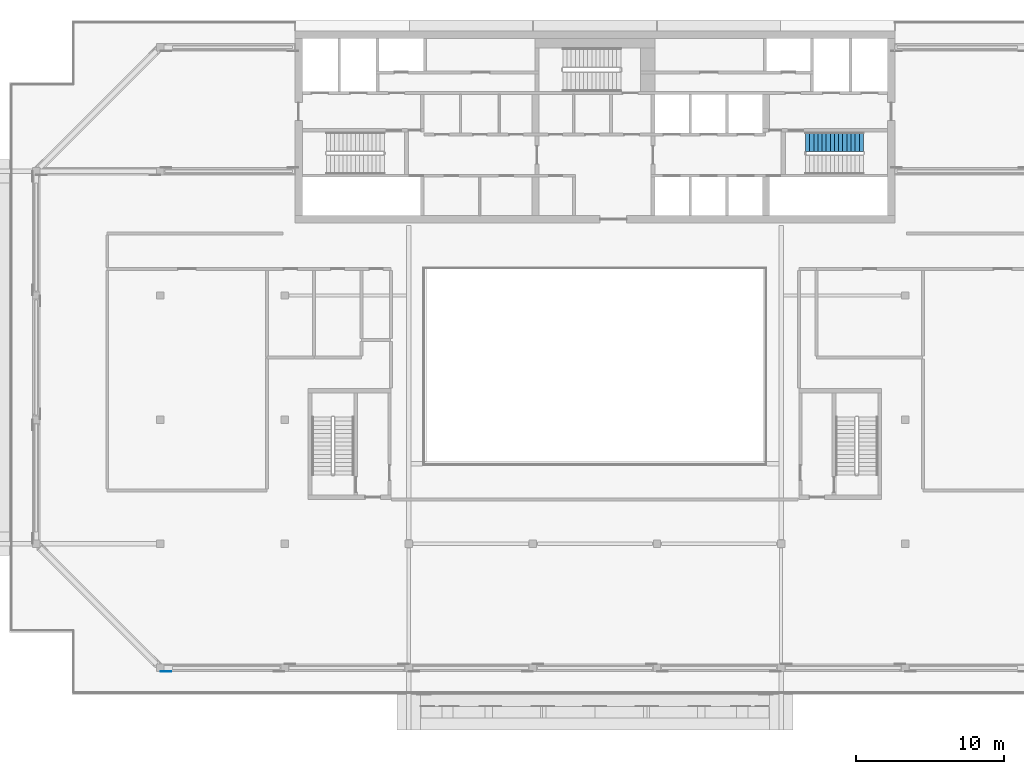
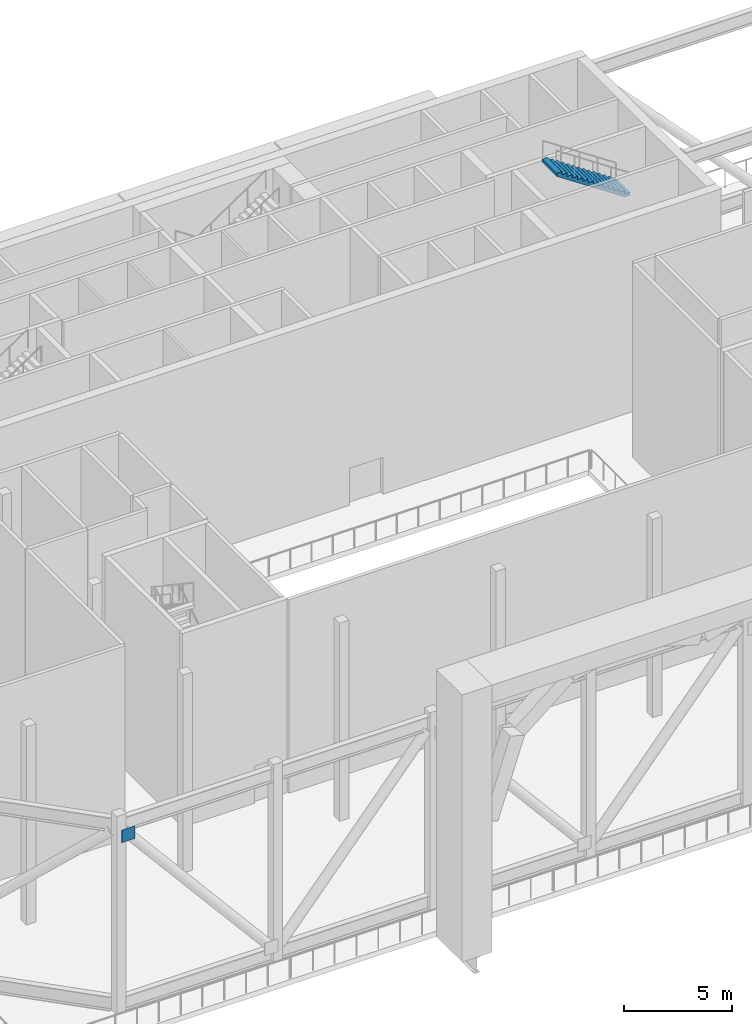
# One storey, part 9 of 20: 1 discrete accessory, 1 stair flight, 1 element without a shape of its own.
"""IFC4 building model written with IfcOpenShell, lengths in metres."""

from ifc_helpers import new_model, si_unit, direction, frame, origin, origin_2d, place, context, subcontext, project, spatial, polyline, rectangle, outline, extrude, material, type_object, element, aggregate, save


model = new_model("IFC4")

# Units and contexts
model_context = context("Model", 3, precision=1e-05, world=origin(), true_north=direction((0.0, 1.0)))
body_context = subcontext(model_context, "Body", "Model", "MODEL_VIEW")
ifc_project = project(units=[si_unit("LENGTHUNIT", "METRE"), si_unit("AREAUNIT", "SQUARE_METRE"), si_unit("VOLUMEUNIT", "CUBIC_METRE"), si_unit("PLANEANGLEUNIT", "RADIAN"), si_unit("MASSUNIT", "GRAM", prefix="KILO")], contexts=[model_context])

# Site, building, storey
site_placement = place(None, origin())
site = spatial("IfcSite", under=ifc_project, at=site_placement, CompositionType="ELEMENT")
building_placement = place(site_placement, origin())
building = spatial("IfcBuilding", under=site, at=building_placement, Name="Saffron Gate Tower", CompositionType="ELEMENT")
storey_placement = place(building_placement, frame((0.0, 0.0, 252.300048828125)))
storey = spatial("IfcBuildingStorey", under=building, at=storey_placement, Name="L62", CompositionType="ELEMENT", Elevation=252.300048828125)

# Stair, stair flight
ifc_material = material(Name="Concrete C40", Category="concrete")
stair_type = type_object("IfcStairType", Name="ST8 Stair 1350 wide, 60 risers of 188", PredefinedType="HALF_TURN_STAIR", material=ifc_material)
stair_placement = place(storey_placement, origin())
stair = element("IfcStair", 1, at=stair_placement, inside=storey, type_object=stair_type, Name="L62 Exit stair B", PredefinedType="HALF_TURN_STAIR")
stair_flight_type = type_object("IfcStairFlightType", Name="SF2 Stair flight 1350 wide, riser 188 going 280", PredefinedType="STRAIGHT", material=ifc_material)
stair_flight_placement = place(storey_placement, frame((105.77001953125, 67.375, 8.4375), z_axis=(0.0, 0.0, 1.0), x_axis=(-1.0, 0.0, 0.0)))
stair_flight = element("IfcStairFlight", 2, at=stair_flight_placement, type_object=stair_flight_type, Name="ST-B flight 4", NumberOfRisers=15, NumberOfTreads=14, PredefinedType="STRAIGHT", RiserHeight=0.1875, TreadLength=0.28, context=body_context, shape_type="SweptSolid", body=[
    extrude(outline(polyline([(0.0, 0.0), (0.0, 0.1875), (0.280029296875, 0.1875), (0.280029296875, 0.375), (0.56005859375, 0.375), (0.56005859375, 0.5625), (0.840087890625, 0.5625), (0.840087890625, 0.75), (1.1201171875, 0.75), (1.1201171875, 0.9375), (1.39990234375, 0.9375), (1.39990234375, 1.125), (1.679931640625, 1.125), (1.679931640625, 1.3125), (1.9599609375, 1.3125), (1.9599609375, 1.5), (2.239990234375, 1.5), (2.239990234375, 1.6875), (2.52001953125, 1.6875), (2.52001953125, 1.875), (2.800048828125, 1.875), (2.800048828125, 2.0625), (3.080078125, 2.0625), (3.080078125, 2.25), (3.360107421875, 2.25), (3.360107421875, 2.4375), (3.639892578125, 2.4375), (3.639892578125, 2.625), (3.919921875, 2.625), (3.919921875, 2.8125), (3.919921875, 2.444580078125), (0.26953125, 0.0), (0.0, 0.0)])), frame((0.0, 0.675048828125, 0.0), z_axis=(0.0, -1.0, 0.0), x_axis=(1.0, 0.0, 0.0)), (0.0, 0.0, 1.0), 1.35009765625),
])
aggregate(stair, [stair_flight])

# Discrete accessory
discrete_accessory_placement = place(storey_placement, frame((58.564697265625, 31.5458984375, 9.678466796875), z_axis=(0.0, 0.0, 1.0), x_axis=(-1.0, 0.0, 0.0)))
element("IfcDiscreteAccessory", 3, at=discrete_accessory_placement, inside=storey, Name="GUSSET PLATE", ObjectType="GUSSET PLATE", PredefinedType="USERDEFINED", context=body_context, shape_type="SweptSolid", body=[
    extrude(rectangle(XDim=0.7109375, YDim=0.02001953125, at=origin_2d()), origin(), (0.0, 0.0, 1.0), 0.7109375),
])

save(model, "model.ifc")
